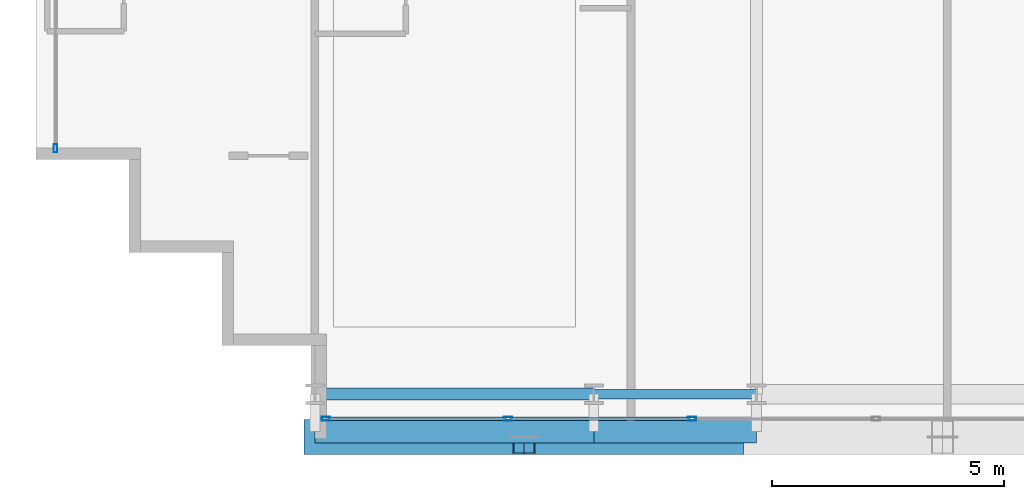
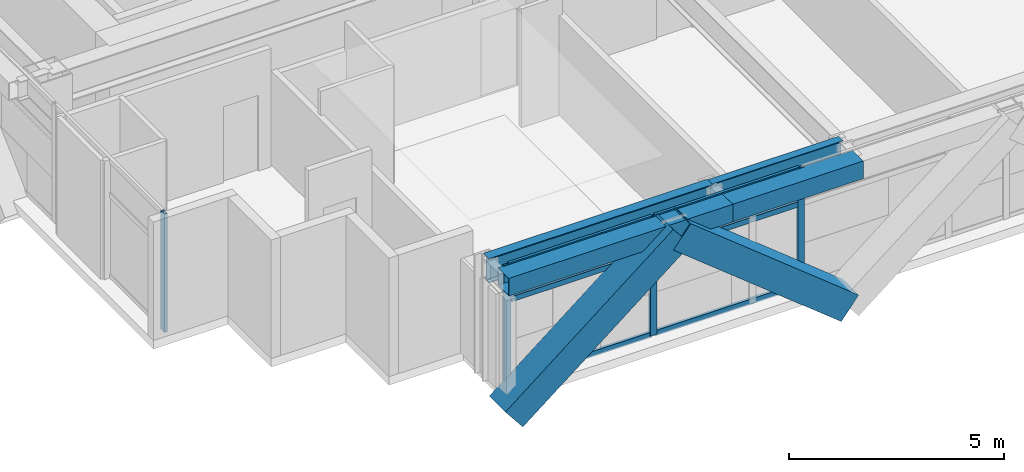
# One storey, part 2 of 35: 12 members, 4 beams, 2 elements without a shape of their own.
"""IFC4 building model written with IfcOpenShell, lengths in metres."""

from ifc_helpers import new_model, si_unit, direction, frame, origin, origin_2d, place, context, subcontext, project, spatial, hollow_rectangle, i_section, extrude, source, transform, mapped, material, layer, layer_set, material_profile, profile_set, type_object, element, aggregate, save


model = new_model("IFC4")

# Units and contexts
model_context = context("Model", 3, precision=1e-05, world=origin(), true_north=direction((0.0, 1.0)))
body_context = subcontext(model_context, "Body", "Model", "MODEL_VIEW")
ifc_project = project(units=[si_unit("LENGTHUNIT", "METRE"), si_unit("AREAUNIT", "SQUARE_METRE"), si_unit("VOLUMEUNIT", "CUBIC_METRE"), si_unit("PLANEANGLEUNIT", "RADIAN"), si_unit("MASSUNIT", "GRAM", prefix="KILO")], contexts=[model_context])

# Site, building, storey
site_placement = place(None, origin())
site = spatial("IfcSite", under=ifc_project, at=site_placement, CompositionType="ELEMENT")
building_placement = place(site_placement, origin())
building = spatial("IfcBuilding", under=site, at=building_placement, Name="Ocotamira Hotel", CompositionType="ELEMENT")
storey_placement = place(building_placement, frame((0.0, 0.0, 140.39990234375)))
storey = spatial("IfcBuildingStorey", under=building, at=storey_placement, Name="L35", CompositionType="ELEMENT", Elevation=140.39990234375)

# Beams
ifc_material_1 = material(Name="Steel ASTM A992 Grade 50", Category="steel")
ifc_material_profile_1 = material_profile(ifc_material_1, i_section(OverallWidth=0.256103515625, OverallDepth=0.693115234375, WebThickness=0.014404296875, FlangeThickness=0.023681640625, FilletRadius=0.01611328125, at=origin_2d()), Name="W27X114")
ifc_profile_set_1 = profile_set([ifc_material_profile_1], Name="Steel ASTM A992 Grade 50")
beam_type_1 = type_object("IfcBeamType", Name="BM-PRIM-W27X114", PredefinedType="BEAM", material=ifc_profile_set_1)
shared_shape_1 = source(origin(), body_context, "Body", "SweptSolid", [
    extrude(i_section(OverallWidth=0.256103515625, OverallDepth=0.693115234375, WebThickness=0.014404296875, FlangeThickness=0.023681640625, FilletRadius=0.01611328125, at=origin_2d()), origin(), (0.0, 0.0, 1.0), 6.0),
])
beam_1_placement = place(storey_placement, frame((14.0, 2.949951171875, 3.013671875), z_axis=(1.0, 0.0, 0.0), x_axis=(0.0, 1.0, 0.0)))
element("IfcBeam", 1, at=beam_1_placement, inside=storey, type_object=beam_type_1, Name="L35 Girder Y2.95 X14-20", PredefinedType="BEAM", context=body_context, shape_type="MappedRepresentation", body=[
    mapped(shared_shape_1, transform((0.0, 0.0, 0.0), scale=1.0)),
])
ifc_material_profile_2 = material_profile(ifc_material_1, i_section(OverallWidth=0.2099609375, OverallDepth=0.537109375, WebThickness=0.010986328125, FlangeThickness=0.017333984375, FilletRadius=0.012939453125, at=origin_2d()), Name="W21X68")
ifc_profile_set_2 = profile_set([ifc_material_profile_2], Name="Steel ASTM A992 Grade 50")
beam_type_2 = type_object("IfcBeamType", Name="BM-SEC-W21X68", PredefinedType="JOIST", material=ifc_profile_set_2)
shared_shape_2 = source(origin(), body_context, "Body", "SweptSolid", [
    extrude(i_section(OverallWidth=0.2099609375, OverallDepth=0.537109375, WebThickness=0.010986328125, FlangeThickness=0.017333984375, FilletRadius=0.012939453125, at=origin_2d()), origin(), (0.0, 0.0, 1.0), 3.5),
])
beam_2_placement = place(storey_placement, frame((20.0, 2.949951171875, 3.091552734375), z_axis=(1.0, 0.0, 0.0), x_axis=(0.0, 1.0, 0.0)))
element("IfcBeam", 2, at=beam_2_placement, inside=storey, type_object=beam_type_2, Name="L35 Girder Y2.95 X20-23.5", PredefinedType="JOIST", context=body_context, shape_type="MappedRepresentation", body=[
    mapped(shared_shape_2, transform((0.0, 0.0, 0.0), scale=1.0)),
])
ifc_material_2 = material(Name="Steel ASTM A500 Grade C", Category="steel")
ifc_material_profile_3 = material_profile(ifc_material_2, hollow_rectangle(XDim=0.5, YDim=0.5, WallThickness=0.02001953125, at=origin_2d()), Name="HSS500X500X20")
ifc_profile_set_3 = profile_set([ifc_material_profile_3], Name="Steel ASTM A500 Grade C")
beam_type_3 = type_object("IfcBeamType", Name="BM-SPAN-HSS500", PredefinedType="USERDEFINED", material=ifc_profile_set_3)
shared_shape_3 = source(origin(), body_context, "Body", "SweptSolid", [
    extrude(hollow_rectangle(XDim=0.5, YDim=0.5, WallThickness=0.02001953125, at=origin_2d()), origin(), (0.0, 0.0, 1.0), 6.0),
])
beam_3_placement = place(storey_placement, frame((14.0, 2.14990234375, 3.110107421875), z_axis=(1.0, 0.0, 0.0), x_axis=(0.0, 1.0, 0.0)))
element("IfcBeam", 3, at=beam_3_placement, inside=storey, type_object=beam_type_3, Name="L35 Edge Spandrel S X14-20", ObjectType="SPANDREL", PredefinedType="USERDEFINED", context=body_context, shape_type="MappedRepresentation", body=[
    mapped(shared_shape_3, transform((0.0, 0.0, 0.0), scale=1.0)),
])
shared_shape_4 = source(origin(), body_context, "Body", "SweptSolid", [
    extrude(hollow_rectangle(XDim=0.5, YDim=0.5, WallThickness=0.02001953125, at=origin_2d()), origin(), (0.0, 0.0, 1.0), 3.5),
])
beam_4_placement = place(storey_placement, frame((20.0, 2.14990234375, 3.110107421875), z_axis=(1.0, 0.0, 0.0), x_axis=(0.0, 1.0, 0.0)))
element("IfcBeam", 4, at=beam_4_placement, inside=storey, type_object=beam_type_3, Name="L35 Edge Spandrel S X20-23.5", ObjectType="SPANDREL", PredefinedType="USERDEFINED", context=body_context, shape_type="MappedRepresentation", body=[
    mapped(shared_shape_4, transform((0.0, 0.0, 0.0), scale=1.0)),
])

# Members
ifc_material_3 = material(Name="Pale-metal coated steel ASTM A913 Grade 65", Category="steel")
ifc_material_profile_4 = material_profile(ifc_material_3, hollow_rectangle(XDim=0.75, YDim=0.75, WallThickness=0.028076171875, at=origin_2d()), Name="BOX750X750X28")
ifc_profile_set_4 = profile_set([ifc_material_profile_4], Name="Pale-metal coated steel ASTM A913 Grade 65")
member_type_1 = type_object("IfcMemberType", Name="MEM-EXO-BOX750", PredefinedType="BRACE", material=ifc_profile_set_4)
shared_shape_5 = source(origin(), body_context, "Body", "SweptSolid", [
    extrude(hollow_rectangle(XDim=0.75, YDim=0.75, WallThickness=0.028076171875, at=origin_2d()), origin(), (0.0, 0.0, 1.0), 5.762939453125),
])
for number, where, z_axis, x_axis, name in (
    (5, (14.0, 2.030029296875, -0.489990234375), (0.780860543151, 0.0, 0.624705380279), (0.0, 1.0, 0.0), "L35 Exoskeleton Diagrid S0.1"),
    (6, (23.0, 2.030029296875, -0.489990234375), (-0.780860543151, 0.0, 0.624705380279), (0.0, -1.0, 0.0), "L35 Exoskeleton Diagrid S0.2"),
):
    element("IfcMember", number, at=place(storey_placement, frame(where, z_axis=z_axis, x_axis=x_axis)), inside=storey, type_object=member_type_1, Name=name, PredefinedType="BRACE", context=body_context, shape_type="MappedRepresentation", body=[
        mapped(shared_shape_5, transform((0.0, 0.0, 0.0), scale=1.0)),
    ])

# Curtain wall, members
ifc_material_4 = material(Name="Anodised pale-metal aluminium and solar glass", Category="aluminium")
ifc_layer = layer(ifc_material_4, 0.179931640625)
ifc_layer_set = layer_set([ifc_layer], Name="Anodised pale-metal aluminium and solar glass")
curtain_wall_type = type_object("IfcCurtainWallType", Name="CW-SYS3-Z2", PredefinedType="NOTDEFINED", material=ifc_layer_set)
curtain_wall_1_placement = place(storey_placement, origin())
curtain_wall_1 = element("IfcCurtainWall", 7, at=curtain_wall_1_placement, inside=storey, type_object=curtain_wall_type, Name="L35 Curtain Wall CW-3 CW-L35-S1", PredefinedType="NOTDEFINED")
ifc_material_5 = material(Name="Anodised pale-metal aluminium 6063-T6", Category="aluminium")
ifc_material_profile_5 = material_profile(ifc_material_5, hollow_rectangle(XDim=0.074951171875, YDim=0.14990234375, WallThickness=0.006103515625, at=origin_2d()), Name="HSS150X75X6")
ifc_profile_set_5 = profile_set([ifc_material_profile_5], Name="Anodised pale-metal aluminium 6063-T6")
member_type_2 = type_object("IfcMemberType", Name="CWT-150X75", PredefinedType="USERDEFINED", material=ifc_profile_set_5)
shared_shape_6 = source(origin(), body_context, "Body", "SweptSolid", [
    extrude(hollow_rectangle(XDim=0.074951171875, YDim=0.14990234375, WallThickness=0.006103515625, at=origin_2d()), origin(), (0.0, 0.0, 1.0), 3.83544921875),
])
member_1_placement = place(storey_placement, frame((14.280029296875, 2.419921875, 0.03759765625), z_axis=(1.0, 0.0, 0.0), x_axis=(0.0, 1.0, 0.0)))
member_1 = element("IfcMember", 8, at=member_1_placement, type_object=member_type_2, Name="CW-3 transom 1.1", ObjectType="TRANSOM", PredefinedType="USERDEFINED", context=body_context, shape_type="MappedRepresentation", body=[
    mapped(shared_shape_6, transform((0.0, 0.0, 0.0), scale=1.0)),
])
member_2_placement = place(storey_placement, frame((14.280029296875, 2.419921875, 2.35009765625), z_axis=(1.0, 0.0, 0.0), x_axis=(0.0, 1.0, 0.0)))
member_2 = element("IfcMember", 9, at=member_2_placement, type_object=member_type_2, Name="CW-3 transom 1.2", ObjectType="TRANSOM", PredefinedType="USERDEFINED", context=body_context, shape_type="MappedRepresentation", body=[
    mapped(shared_shape_6, transform((0.0, 0.0, 0.0), scale=1.0)),
])
member_3_placement = place(storey_placement, frame((14.280029296875, 2.419921875, 3.322509765625), z_axis=(1.0, 0.0, 0.0), x_axis=(0.0, 1.0, 0.0)))
member_3 = element("IfcMember", 10, at=member_3_placement, type_object=member_type_2, Name="CW-3 transom 1.3", ObjectType="TRANSOM", PredefinedType="USERDEFINED", context=body_context, shape_type="MappedRepresentation", body=[
    mapped(shared_shape_6, transform((0.0, 0.0, 0.0), scale=1.0)),
])
shared_shape_7 = source(origin(), body_context, "Body", "SweptSolid", [
    extrude(hollow_rectangle(XDim=0.074951171875, YDim=0.14990234375, WallThickness=0.006103515625, at=origin_2d()), origin(), (0.0, 0.0, 1.0), 3.87548828125),
])
member_4_placement = place(storey_placement, frame((18.195556640625, 2.419921875, 0.03759765625), z_axis=(1.0, 0.0, 0.0), x_axis=(0.0, 1.0, 0.0)))
member_4 = element("IfcMember", 11, at=member_4_placement, type_object=member_type_2, Name="CW-3 transom 2.1", ObjectType="TRANSOM", PredefinedType="USERDEFINED", context=body_context, shape_type="MappedRepresentation", body=[
    mapped(shared_shape_7, transform((0.0, 0.0, 0.0), scale=1.0)),
])
member_5_placement = place(storey_placement, frame((18.195556640625, 2.419921875, 2.35009765625), z_axis=(1.0, 0.0, 0.0), x_axis=(0.0, 1.0, 0.0)))
member_5 = element("IfcMember", 12, at=member_5_placement, type_object=member_type_2, Name="CW-3 transom 2.2", ObjectType="TRANSOM", PredefinedType="USERDEFINED", context=body_context, shape_type="MappedRepresentation", body=[
    mapped(shared_shape_7, transform((0.0, 0.0, 0.0), scale=1.0)),
])
member_6_placement = place(storey_placement, frame((18.195556640625, 2.419921875, 3.322509765625), z_axis=(1.0, 0.0, 0.0), x_axis=(0.0, 1.0, 0.0)))
member_6 = element("IfcMember", 13, at=member_6_placement, type_object=member_type_2, Name="CW-3 transom 2.3", ObjectType="TRANSOM", PredefinedType="USERDEFINED", context=body_context, shape_type="MappedRepresentation", body=[
    mapped(shared_shape_7, transform((0.0, 0.0, 0.0), scale=1.0)),
])
ifc_material_profile_6 = material_profile(ifc_material_5, hollow_rectangle(XDim=0.080078125, YDim=0.179931640625, WallThickness=0.006103515625, at=origin_2d()), Name="HSS180X80X6")
ifc_profile_set_6 = profile_set([ifc_material_profile_6], Name="Anodised pale-metal aluminium 6063-T6")
member_type_3 = type_object("IfcMemberType", Name="CWM-180X75", PredefinedType="MULLION", material=ifc_profile_set_6)
shared_shape_8 = source(origin(), body_context, "Body", "SweptSolid", [
    extrude(hollow_rectangle(XDim=0.080078125, YDim=0.179931640625, WallThickness=0.006103515625, at=origin_2d()), origin(), (0.0, 0.0, 1.0), 3.360107421875),
])
member_7_placement = place(storey_placement, frame((14.239990234375, 2.419921875, 0.0), z_axis=(0.0, 0.0, 1.0), x_axis=(0.0, 1.0, 0.0)))
member_7 = element("IfcMember", 14, at=member_7_placement, type_object=member_type_3, Name="CW-3 mullion 1", PredefinedType="MULLION", context=body_context, shape_type="MappedRepresentation", body=[
    mapped(shared_shape_8, transform((0.0, 0.0, 0.0), scale=1.0)),
])
member_8_placement = place(storey_placement, frame((18.155517578125, 2.419921875, 0.0), z_axis=(0.0, 0.0, 1.0), x_axis=(0.0, 1.0, 0.0)))
member_8 = element("IfcMember", 15, at=member_8_placement, type_object=member_type_3, Name="CW-3 mullion 2", PredefinedType="MULLION", context=body_context, shape_type="MappedRepresentation", body=[
    mapped(shared_shape_8, transform((0.0, 0.0, 0.0), scale=1.0)),
])
member_9_placement = place(storey_placement, frame((22.111083984375, 2.419921875, 0.0), z_axis=(0.0, 0.0, 1.0), x_axis=(0.0, 1.0, 0.0)))
member_9 = element("IfcMember", 16, at=member_9_placement, type_object=member_type_3, Name="CW-3 mullion 3", PredefinedType="MULLION", context=body_context, shape_type="MappedRepresentation", body=[
    mapped(shared_shape_8, transform((0.0, 0.0, 0.0), scale=1.0)),
])
aggregate(curtain_wall_1, [member_7, member_8, member_9, member_1, member_2, member_3, member_4, member_5, member_6])

# Curtain wall, member
curtain_wall_2_placement = place(storey_placement, origin())
curtain_wall_2 = element("IfcCurtainWall", 17, at=curtain_wall_2_placement, inside=storey, type_object=curtain_wall_type, Name="L35 Curtain Wall CW-3 CW-L35-W", PredefinedType="NOTDEFINED")
member_10_placement = place(storey_placement, frame((8.419921875, 8.239990234375, 0.0), z_axis=(0.0, 0.0, 1.0), x_axis=(-1.0, 0.0, 0.0)))
member_10 = element("IfcMember", 18, at=member_10_placement, type_object=member_type_3, Name="CW-3 mullion 1", PredefinedType="MULLION", context=body_context, shape_type="MappedRepresentation", body=[
    mapped(shared_shape_8, transform((0.0, 0.0, 0.0), scale=1.0)),
])
aggregate(curtain_wall_2, [member_10])

save(model, "model.ifc")
